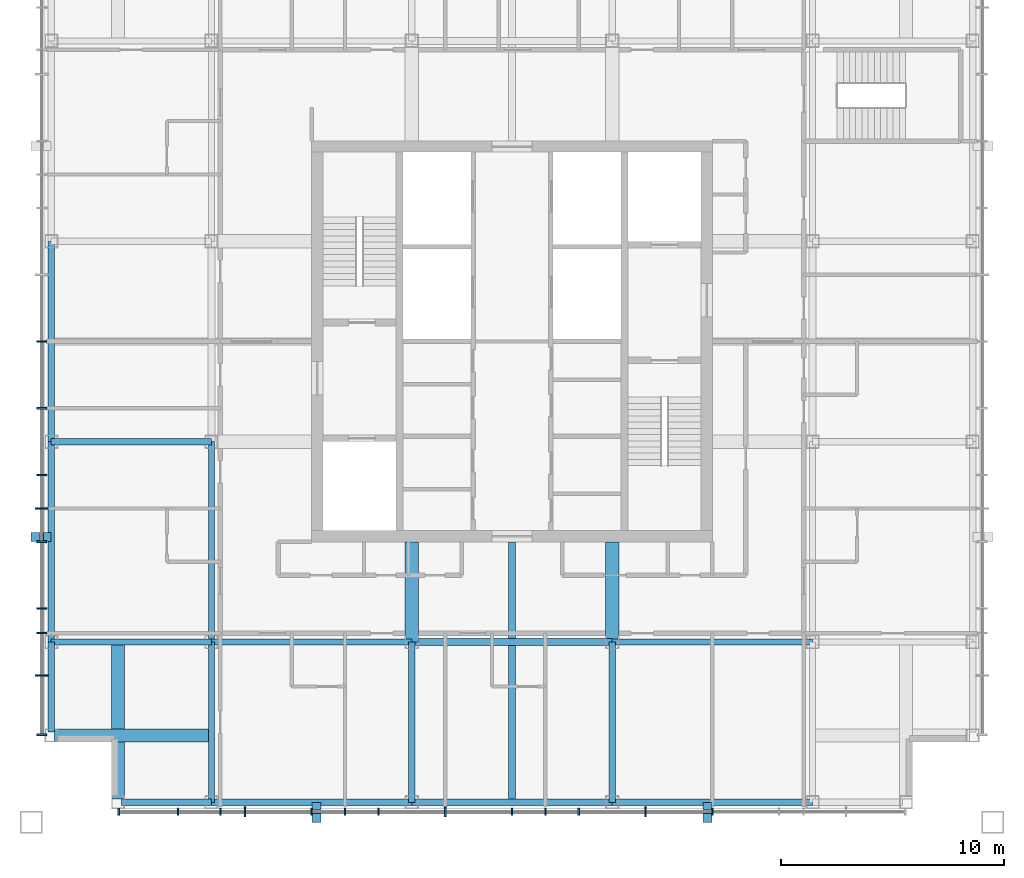
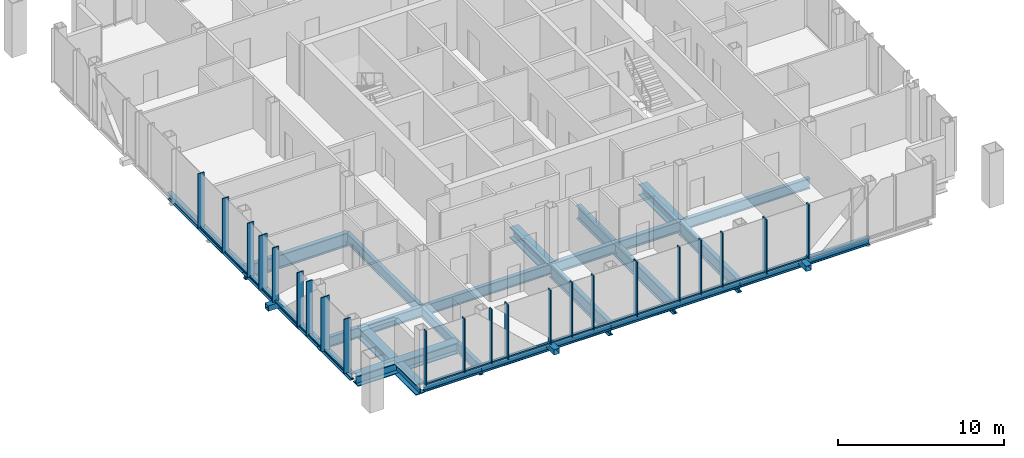
# One storey, part 2 of 11: 45 members, 21 beams, 2 elements without a shape of their own.
"""IFC4 building model written with IfcOpenShell, lengths in metres."""

import ifcopenshell
import ifcopenshell.guid

model = None  # the IFC model being written
_history = None  # IfcOwnerHistory: only IFC2X3 demands one
_inside = {}  # id of a spatial element -> (the spatial element, [elements in it])
_under = {}  # id of a project, library or spatial element -> (it, [spatial elements below it])
_declared = {}  # id of a project -> (the project, [libraries it declares])
_typed = {}  # id of a type object -> (the type object, [elements of that type])
_made_of = {}  # id of a material, layer set ... -> (it, [elements and type objects made of it])


def new_model(schema):
    """Start an empty IFC model of exactly this schema.

    Asked for "IFC4X3", IfcOpenShell would pick the latest addendum, in which some entities
    have other attributes; the version numbers below select the first issue.
    IFC2X3 requires an IfcOwnerHistory on every rooted entity: one is made here for all.
    """
    global model, _history
    if schema == "IFC4X3":
        model = ifcopenshell.file(schema_version=(4, 3, 0, 0))
    else:
        model = ifcopenshell.file(schema=schema)
    _inside.clear()
    _under.clear()
    _declared.clear()
    _typed.clear()
    _made_of.clear()
    _history = None
    if model.schema == "IFC2X3":
        org = make("IfcOrganization", Name="unknown")
        user = make(
            "IfcPersonAndOrganization",
            ThePerson=make("IfcPerson", FamilyName="unknown"),
            TheOrganization=org,
        )
        app = make(
            "IfcApplication",
            ApplicationDeveloper=org,
            Version="unknown",
            ApplicationFullName="unknown",
            ApplicationIdentifier="unknown",
        )
        _history = make(
            "IfcOwnerHistory",
            OwningUser=user,
            OwningApplication=app,
            ChangeAction="ADDED",
            CreationDate=0,
        )
    return model


def make(cls, **values):
    """One entity of the class cls with the attributes given. An attribute that is None is left unset."""
    return model.create_entity(
        cls, **{name: value for name, value in values.items() if value is not None}
    )


def rooted(cls, **values):
    """An entity with a GlobalId (a new one), such as an element, a storey or a relation."""
    return make(cls, GlobalId=ifcopenshell.guid.new(), OwnerHistory=_history, **values)


def si_unit(unit_type, name, prefix=None):
    """IfcSIUnit, for example si_unit("LENGTHUNIT", "METRE", prefix="MILLI")."""
    return make("IfcSIUnit", UnitType=unit_type, Prefix=prefix, Name=name)


def assignment(units):
    """IfcUnitAssignment: the units of a project."""
    return None if units is None else make("IfcUnitAssignment", Units=units)


def point(xyz):
    """IfcCartesianPoint."""
    return None if xyz is None else make("IfcCartesianPoint", Coordinates=xyz)


def direction(xyz):
    """IfcDirection."""
    return None if xyz is None else make("IfcDirection", DirectionRatios=xyz)


def frame(location, z_axis=None, x_axis=None):
    """IfcAxis2Placement3D, a coordinate frame: its origin and axes. An axis left out is left unset."""
    return make(
        "IfcAxis2Placement3D",
        Location=point(location),
        Axis=direction(z_axis),
        RefDirection=direction(x_axis),
    )


def frame_2d(location, x_axis=None):
    """IfcAxis2Placement2D, a coordinate frame in the plane: its origin and x axis."""
    return make(
        "IfcAxis2Placement2D", Location=point(location), RefDirection=direction(x_axis)
    )


def origin():
    """The frame at (0, 0, 0) with its axes left unset."""
    return frame((0.0, 0.0, 0.0))


def origin_2d():
    """The frame at (0, 0) in the plane with its x axis left unset."""
    return frame_2d((0.0, 0.0))


def place(relative_to, where):
    """IfcLocalPlacement: puts the frame where relative to a parent placement (None: the world)."""
    return make(
        "IfcLocalPlacement", PlacementRelTo=relative_to, RelativePlacement=where
    )


def context(
    kind, dimensions, precision=None, world=None, true_north=None, identifier=None
):
    """IfcGeometricRepresentationContext, for example the 3D "Model" context."""
    return make(
        "IfcGeometricRepresentationContext",
        ContextIdentifier=identifier,
        ContextType=kind,
        CoordinateSpaceDimension=dimensions,
        Precision=precision,
        WorldCoordinateSystem=world,
        TrueNorth=true_north,
    )


def subcontext(parent, identifier, kind, view, scale=None):
    """IfcGeometricRepresentationSubContext, for example "Body" below "Model"."""
    return make(
        "IfcGeometricRepresentationSubContext",
        ContextIdentifier=identifier,
        ContextType=kind,
        ParentContext=parent,
        TargetScale=scale,
        TargetView=view,
    )


def project(units=None, contexts=None):
    """IfcProject with its units and contexts."""
    return rooted(
        "IfcProject",
        Name="project",
        RepresentationContexts=contexts,
        UnitsInContext=assignment(units),
    )


def spatial(cls, under=None, at=None, **own):
    """A site, building, storey or space (cls), placed at a placement, below another one or the project."""
    s = rooted(cls, ObjectPlacement=at, **own)
    if under is not None:
        _under.setdefault(under.id(), (under, []))[1].append(s)
    return s


def profile(cls, at=None, kind="AREA", **sizes):
    """A parametric profile (cls). Its sizes go by their IFC names, for example OverallWidth=200.0."""
    return make(cls, ProfileType=kind, Position=at, **sizes)


def rectangle(**sizes):
    """IfcRectangleProfileDef."""
    return profile("IfcRectangleProfileDef", **sizes)


def hollow_rectangle(**sizes):
    """IfcRectangleHollowProfileDef."""
    return profile("IfcRectangleHollowProfileDef", **sizes)


def i_section(**sizes):
    """IfcIShapeProfileDef."""
    return profile("IfcIShapeProfileDef", **sizes)


def extrude(swept, where, along, depth):
    """IfcExtrudedAreaSolid: the profile swept, set in the frame where, extruded along a direction by depth."""
    return make(
        "IfcExtrudedAreaSolid",
        SweptArea=swept,
        Position=where,
        ExtrudedDirection=direction(along),
        Depth=depth,
    )


def shape(context_of_items, identifier, shape_type, items):
    """IfcShapeRepresentation: the items that make up one representation, for example the "Body"."""
    return make(
        "IfcShapeRepresentation",
        ContextOfItems=context_of_items,
        RepresentationIdentifier=identifier,
        RepresentationType=shape_type,
        Items=items,
    )


def material(Name=None, Category=None):
    """IfcMaterial."""
    return make("IfcMaterial", Name=Name, Category=Category)


def layer(
    of_material, thickness, ventilated=None, Name=None, Category=None, Priority=None
):
    """IfcMaterialLayer: one layer of a wall or slab, of a material (None: an air gap)."""
    return make(
        "IfcMaterialLayer",
        Material=of_material,
        LayerThickness=thickness,
        IsVentilated=ventilated,
        Name=Name,
        Category=Category,
        Priority=Priority,
    )


def layer_set(layers, Name=None):
    """IfcMaterialLayerSet."""
    return make("IfcMaterialLayerSet", MaterialLayers=layers, LayerSetName=Name)


def material_profile(
    of_material, cross_section, Name=None, Category=None, Priority=None
):
    """IfcMaterialProfile: a cross section and its material."""
    return make(
        "IfcMaterialProfile",
        Name=Name,
        Material=of_material,
        Profile=cross_section,
        Priority=Priority,
        Category=Category,
    )


def profile_set(profiles, Name=None, composite=None):
    """IfcMaterialProfileSet."""
    return make(
        "IfcMaterialProfileSet",
        Name=Name,
        MaterialProfiles=profiles,
        CompositeProfile=composite,
    )


def made_of(thing, what):
    """Note that an element or type object is made of a material, layer set ...; save() writes the relation."""
    if what is not None:
        _made_of.setdefault(what.id(), (what, []))[1].append(thing)
    return thing


def type_object(cls, material=None, **own):
    """A type object (cls), such as IfcWallType, which elements share."""
    return made_of(rooted(cls, **own), material)


def element(
    cls,
    number,
    at=None,
    inside=None,
    cuts=None,
    type_object=None,
    material=None,
    context=None,
    identifier="Body",
    shape_type=None,
    held_by="IfcProductDefinitionShape",
    body=None,
    shapes=None,
    **own,
):
    """One element of the class cls, such as IfcWall. Its Tag is "e" and its number.

    at: its placement. inside: the storey or other place that contains it. cuts: it is an
    opening in that element (IfcRelVoidsElement). A single representation is given by context,
    identifier, shape_type and body (its items); several are given by shapes. held_by: the class
    of the entity that holds the representations. save() writes the other relations.
    """
    e = rooted(cls, Tag="e%d" % number, ObjectPlacement=at, **own)
    if body is not None:
        shapes = [shape(context, identifier, shape_type, body)]
    if shapes is not None:
        e.Representation = make(held_by, Representations=shapes)
    if inside is not None:
        _inside.setdefault(inside.id(), (inside, []))[1].append(e)
    if cuts is not None:
        rooted(
            "IfcRelVoidsElement", RelatingBuildingElement=cuts, RelatedOpeningElement=e
        )
    if type_object is not None:
        _typed.setdefault(type_object.id(), (type_object, []))[1].append(e)
    return made_of(e, material)


def aggregate(whole, parts):
    """IfcRelAggregates: a whole, such as a stair, and the parts it consists of."""
    return rooted("IfcRelAggregates", RelatingObject=whole, RelatedObjects=parts)


def save(model, path):
    """Write the relations noted so far, then the file.

    IfcRelAggregates (storeys below a building ...), IfcRelContainedInSpatialStructure (elements
    in a storey), IfcRelDefinesByType, IfcRelAssociatesMaterial and IfcRelDeclares: one each for
    every whole, place, type object, material and project.
    """
    for whole, parts in _under.values():
        aggregate(whole, parts)
    for where, things in _inside.values():
        rooted(
            "IfcRelContainedInSpatialStructure",
            RelatedElements=things,
            RelatingStructure=where,
        )
    for kind, things in _typed.values():
        rooted("IfcRelDefinesByType", RelatedObjects=things, RelatingType=kind)
    for what, things in _made_of.values():
        rooted("IfcRelAssociatesMaterial", RelatedObjects=things, RelatingMaterial=what)
    for by, libraries in _declared.values():
        rooted("IfcRelDeclares", RelatingContext=by, RelatedDefinitions=libraries)
    model.write(path)


model = new_model("IFC4")

# Units and contexts
model_context = context("Model", 3, precision=1e-05, world=origin(), true_north=direction((0.0, 1.0)))
body_context = subcontext(model_context, "Body", "Model", "MODEL_VIEW")
ifc_project = project(units=[si_unit("LENGTHUNIT", "METRE"), si_unit("AREAUNIT", "SQUARE_METRE"), si_unit("VOLUMEUNIT", "CUBIC_METRE"), si_unit("PLANEANGLEUNIT", "RADIAN"), si_unit("MASSUNIT", "GRAM", prefix="KILO")], contexts=[model_context])

# Site, building, storey
site_placement = place(None, origin())
site = spatial("IfcSite", under=ifc_project, at=site_placement, CompositionType="ELEMENT")
building_placement = place(site_placement, origin())
building = spatial("IfcBuilding", under=site, at=building_placement, Name="Malebo Sky Hospital", CompositionType="ELEMENT")
storey_placement = place(building_placement, frame((0.0, 0.0, 278.0)))
storey = spatial("IfcBuildingStorey", under=building, at=storey_placement, Name="L67", CompositionType="ELEMENT", Elevation=278.0)

# Curtain wall, members
ifc_material_1 = material(Name="Anodised aluminium, natural silver", Category="aluminium")
ifc_layer_1 = layer(ifc_material_1, 0.25)
ifc_layer_set_1 = layer_set([ifc_layer_1], Name="WARD CURTAIN WALL EAST AND WEST")
curtain_wall_type_1 = type_object("IfcCurtainWallType", Name="WARD CURTAIN WALL EAST AND WEST", PredefinedType="NOTDEFINED", material=ifc_layer_set_1)
curtain_wall_1_placement = place(storey_placement, origin())
curtain_wall_1 = element("IfcCurtainWall", 1, at=curtain_wall_1_placement, inside=storey, type_object=curtain_wall_type_1, Name="EW curtain wall W", PredefinedType="NOTDEFINED")
ifc_material_profile_1 = material_profile(ifc_material_1, rectangle(XDim=0.14990234375, YDim=0.10009765625, at=origin_2d()), Name="ALUMINIUM TRANSOM 150x100")
ifc_profile_set_1 = profile_set([ifc_material_profile_1], Name="Anodised aluminium, natural silver")
member_type_1 = type_object("IfcMemberType", Name="ALUMINIUM TRANSOM 150x100", PredefinedType="USERDEFINED", material=ifc_profile_set_1)
member_1_placement = place(storey_placement, frame((38.875, 44.375, 0.050048828125), z_axis=(0.0, 1.0, 0.0), x_axis=(-1.0, 0.0, 0.0)))
member_1 = element("IfcMember", 2, at=member_1_placement, type_object=member_type_1, Name="Transom 1", ObjectType="TRANSOM", PredefinedType="USERDEFINED", context=body_context, shape_type="SweptSolid", body=[
    extrude(rectangle(XDim=0.14990234375, YDim=0.10009765625, at=origin_2d()), origin(), (0.0, 0.0, 1.0), 2.58740234375),
])
member_2_placement = place(storey_placement, frame((38.875, 47.03759765625, 0.050048828125), z_axis=(0.0, 1.0, 0.0), x_axis=(-1.0, 0.0, 0.0)))
member_2 = element("IfcMember", 3, at=member_2_placement, type_object=member_type_1, Name="Transom 2", ObjectType="TRANSOM", PredefinedType="USERDEFINED", context=body_context, shape_type="SweptSolid", body=[
    extrude(rectangle(XDim=0.14990234375, YDim=0.10009765625, at=origin_2d()), origin(), (0.0, 0.0, 1.0), 1.824951171875),
])
member_3_placement = place(storey_placement, frame((38.875, 48.9375, 0.050048828125), z_axis=(0.0, 1.0, 0.0), x_axis=(-1.0, 0.0, 0.0)))
member_3 = element("IfcMember", 4, at=member_3_placement, type_object=member_type_1, Name="Transom 3", ObjectType="TRANSOM", PredefinedType="USERDEFINED", context=body_context, shape_type="SweptSolid", body=[
    extrude(rectangle(XDim=0.14990234375, YDim=0.10009765625, at=origin_2d()), origin(), (0.0, 0.0, 1.0), 1.02490234375),
])
member_4_placement = place(storey_placement, frame((38.875, 50.03759765625, 0.050048828125), z_axis=(0.0, 1.0, 0.0), x_axis=(-1.0, 0.0, 0.0)))
member_4 = element("IfcMember", 5, at=member_4_placement, type_object=member_type_1, Name="Transom 4", ObjectType="TRANSOM", PredefinedType="USERDEFINED", context=body_context, shape_type="SweptSolid", body=[
    extrude(rectangle(XDim=0.14990234375, YDim=0.10009765625, at=origin_2d()), origin(), (0.0, 0.0, 1.0), 2.9248046875),
])
member_5_placement = place(storey_placement, frame((38.875, 53.03759765625, 0.050048828125), z_axis=(0.0, 1.0, 0.0), x_axis=(-1.0, 0.0, 0.0)))
member_5 = element("IfcMember", 6, at=member_5_placement, type_object=member_type_1, Name="Transom 5", ObjectType="TRANSOM", PredefinedType="USERDEFINED", context=body_context, shape_type="SweptSolid", body=[
    extrude(rectangle(XDim=0.14990234375, YDim=0.10009765625, at=origin_2d()), origin(), (0.0, 0.0, 1.0), 1.4248046875),
])
member_6_placement = place(storey_placement, frame((38.875, 54.53759765625, 0.050048828125), z_axis=(0.0, 1.0, 0.0), x_axis=(-1.0, 0.0, 0.0)))
member_6 = element("IfcMember", 7, at=member_6_placement, type_object=member_type_1, Name="Transom 6", ObjectType="TRANSOM", PredefinedType="USERDEFINED", context=body_context, shape_type="SweptSolid", body=[
    extrude(rectangle(XDim=0.14990234375, YDim=0.10009765625, at=origin_2d()), origin(), (0.0, 0.0, 1.0), 1.4248046875),
])
member_7_placement = place(storey_placement, frame((38.875, 56.03759765625, 0.050048828125), z_axis=(0.0, 1.0, 0.0), x_axis=(-1.0, 0.0, 0.0)))
member_7 = element("IfcMember", 8, at=member_7_placement, type_object=member_type_1, Name="Transom 7", ObjectType="TRANSOM", PredefinedType="USERDEFINED", context=body_context, shape_type="SweptSolid", body=[
    extrude(rectangle(XDim=0.14990234375, YDim=0.10009765625, at=origin_2d()), origin(), (0.0, 0.0, 1.0), 2.9248046875),
])
member_8_placement = place(storey_placement, frame((38.875, 59.03759765625, 0.050048828125), z_axis=(0.0, 1.0, 0.0), x_axis=(-1.0, 0.0, 0.0)))
member_8 = element("IfcMember", 9, at=member_8_placement, type_object=member_type_1, Name="Transom 8", ObjectType="TRANSOM", PredefinedType="USERDEFINED", context=body_context, shape_type="SweptSolid", body=[
    extrude(rectangle(XDim=0.14990234375, YDim=0.10009765625, at=origin_2d()), origin(), (0.0, 0.0, 1.0), 2.9248046875),
])

ifc_layer_2 = layer(ifc_material_1, 0.25)
ifc_layer_set_2 = layer_set([ifc_layer_2], Name="WARD CURTAIN WALL NORTH AND SOUTH")
curtain_wall_type_2 = type_object("IfcCurtainWallType", Name="WARD CURTAIN WALL NORTH AND SOUTH", PredefinedType="NOTDEFINED", material=ifc_layer_set_2)
curtain_wall_2_placement = place(storey_placement, origin())
curtain_wall_2 = element("IfcCurtainWall", 10, at=curtain_wall_2_placement, inside=storey, type_object=curtain_wall_type_2, Name="NS curtain wall S", PredefinedType="NOTDEFINED")
member_9_placement = place(storey_placement, frame((68.96240234375, 40.875, 0.050048828125), z_axis=(-1.0, 0.0, 0.0), x_axis=(0.0, -1.0, 0.0)))
member_9 = element("IfcMember", 11, at=member_9_placement, type_object=member_type_1, Name="Transom 5", ObjectType="TRANSOM", PredefinedType="USERDEFINED", context=body_context, shape_type="SweptSolid", body=[
    extrude(rectangle(XDim=0.14990234375, YDim=0.10009765625, at=origin_2d()), origin(), (0.0, 0.0, 1.0), 2.9248046875),
])
member_10_placement = place(storey_placement, frame((65.96240234375, 40.875, 0.050048828125), z_axis=(-1.0, 0.0, 0.0), x_axis=(0.0, -1.0, 0.0)))
member_10 = element("IfcMember", 12, at=member_10_placement, type_object=member_type_1, Name="Transom 6", ObjectType="TRANSOM", PredefinedType="USERDEFINED", context=body_context, shape_type="SweptSolid", body=[
    extrude(rectangle(XDim=0.14990234375, YDim=0.10009765625, at=origin_2d()), origin(), (0.0, 0.0, 1.0), 2.9248046875),
])
member_11_placement = place(storey_placement, frame((62.96240234375, 40.875, 0.050048828125), z_axis=(-1.0, 0.0, 0.0), x_axis=(0.0, -1.0, 0.0)))
member_11 = element("IfcMember", 13, at=member_11_placement, type_object=member_type_1, Name="Transom 7", ObjectType="TRANSOM", PredefinedType="USERDEFINED", context=body_context, shape_type="SweptSolid", body=[
    extrude(rectangle(XDim=0.14990234375, YDim=0.10009765625, at=origin_2d()), origin(), (0.0, 0.0, 1.0), 1.4248046875),
])
member_12_placement = place(storey_placement, frame((61.46240234375, 40.875, 0.050048828125), z_axis=(-1.0, 0.0, 0.0), x_axis=(0.0, -1.0, 0.0)))
member_12 = element("IfcMember", 14, at=member_12_placement, type_object=member_type_1, Name="Transom 8", ObjectType="TRANSOM", PredefinedType="USERDEFINED", context=body_context, shape_type="SweptSolid", body=[
    extrude(rectangle(XDim=0.14990234375, YDim=0.10009765625, at=origin_2d()), origin(), (0.0, 0.0, 1.0), 1.4248046875),
])
member_13_placement = place(storey_placement, frame((59.96240234375, 40.875, 0.050048828125), z_axis=(-1.0, 0.0, 0.0), x_axis=(0.0, -1.0, 0.0)))
member_13 = element("IfcMember", 15, at=member_13_placement, type_object=member_type_1, Name="Transom 9", ObjectType="TRANSOM", PredefinedType="USERDEFINED", context=body_context, shape_type="SweptSolid", body=[
    extrude(rectangle(XDim=0.14990234375, YDim=0.10009765625, at=origin_2d()), origin(), (0.0, 0.0, 1.0), 2.9248046875),
])
member_14_placement = place(storey_placement, frame((56.96240234375, 40.875, 0.050048828125), z_axis=(-1.0, 0.0, 0.0), x_axis=(0.0, -1.0, 0.0)))
member_14 = element("IfcMember", 16, at=member_14_placement, type_object=member_type_1, Name="Transom 10", ObjectType="TRANSOM", PredefinedType="USERDEFINED", context=body_context, shape_type="SweptSolid", body=[
    extrude(rectangle(XDim=0.14990234375, YDim=0.10009765625, at=origin_2d()), origin(), (0.0, 0.0, 1.0), 2.9248046875),
])
member_15_placement = place(storey_placement, frame((53.96240234375, 40.875, 0.050048828125), z_axis=(-1.0, 0.0, 0.0), x_axis=(0.0, -1.0, 0.0)))
member_15 = element("IfcMember", 17, at=member_15_placement, type_object=member_type_1, Name="Transom 11", ObjectType="TRANSOM", PredefinedType="USERDEFINED", context=body_context, shape_type="SweptSolid", body=[
    extrude(rectangle(XDim=0.14990234375, YDim=0.10009765625, at=origin_2d()), origin(), (0.0, 0.0, 1.0), 1.4248046875),
])
member_16_placement = place(storey_placement, frame((52.46240234375, 40.875, 0.050048828125), z_axis=(-1.0, 0.0, 0.0), x_axis=(0.0, -1.0, 0.0)))
member_16 = element("IfcMember", 18, at=member_16_placement, type_object=member_type_1, Name="Transom 12", ObjectType="TRANSOM", PredefinedType="USERDEFINED", context=body_context, shape_type="SweptSolid", body=[
    extrude(rectangle(XDim=0.14990234375, YDim=0.10009765625, at=origin_2d()), origin(), (0.0, 0.0, 1.0), 1.4248046875),
])
member_17_placement = place(storey_placement, frame((50.96240234375, 40.875, 0.050048828125), z_axis=(-1.0, 0.0, 0.0), x_axis=(0.0, -1.0, 0.0)))
member_17 = element("IfcMember", 19, at=member_17_placement, type_object=member_type_1, Name="Transom 13", ObjectType="TRANSOM", PredefinedType="USERDEFINED", context=body_context, shape_type="SweptSolid", body=[
    extrude(rectangle(XDim=0.14990234375, YDim=0.10009765625, at=origin_2d()), origin(), (0.0, 0.0, 1.0), 2.9248046875),
])
member_18_placement = place(storey_placement, frame((47.96240234375, 40.875, 0.050048828125), z_axis=(-1.0, 0.0, 0.0), x_axis=(0.0, -1.0, 0.0)))
member_18 = element("IfcMember", 20, at=member_18_placement, type_object=member_type_1, Name="Transom 14", ObjectType="TRANSOM", PredefinedType="USERDEFINED", context=body_context, shape_type="SweptSolid", body=[
    extrude(rectangle(XDim=0.14990234375, YDim=0.10009765625, at=origin_2d()), origin(), (0.0, 0.0, 1.0), 1.02490234375),
])
member_19_placement = place(storey_placement, frame((46.862548828125, 40.875, 0.050048828125), z_axis=(-1.0, 0.0, 0.0), x_axis=(0.0, -1.0, 0.0)))
member_19 = element("IfcMember", 21, at=member_19_placement, type_object=member_type_1, Name="Transom 15", ObjectType="TRANSOM", PredefinedType="USERDEFINED", context=body_context, shape_type="SweptSolid", body=[
    extrude(rectangle(XDim=0.14990234375, YDim=0.10009765625, at=origin_2d()), origin(), (0.0, 0.0, 1.0), 1.824951171875),
])
member_20_placement = place(storey_placement, frame((44.96240234375, 40.875, 0.050048828125), z_axis=(-1.0, 0.0, 0.0), x_axis=(0.0, -1.0, 0.0)))
member_20 = element("IfcMember", 22, at=member_20_placement, type_object=member_type_1, Name="Transom 16", ObjectType="TRANSOM", PredefinedType="USERDEFINED", context=body_context, shape_type="SweptSolid", body=[
    extrude(rectangle(XDim=0.14990234375, YDim=0.10009765625, at=origin_2d()), origin(), (0.0, 0.0, 1.0), 2.58740234375),
])

# Members
ifc_material_2 = material(Name="Steel S355", Category="steel")
ifc_material_profile_2 = material_profile(ifc_material_2, hollow_rectangle(XDim=0.39990234375, YDim=0.39990234375, WallThickness=0.02001953125, at=origin_2d()), Name="SHS 400x20")
ifc_profile_set_2 = profile_set([ifc_material_profile_2], Name="Steel S355")
member_type_2 = type_object("IfcMemberType", Name="BRACE STRUT SHS 400x20", PredefinedType="STRUT", material=ifc_profile_set_2)
for number, where, z_axis, x_axis, name in (
    (23, (68.7841796875, 40.39990234375, -0.39990234375), (0.0, 1.0, 0.0), (-1.0, 0.0, 0.0), "Brace strut DS1 L67"),
    (24, (51.2158203125, 40.39990234375, -0.39990234375), (0.0, 1.0, 0.0), (-1.0, 0.0, 0.0), "Brace strut DS2 L67"),
    (25, (38.39990234375, 53.2158203125, -0.39990234375), (1.0, 0.0, 0.0), (0.0, 1.0, 0.0), "Brace strut DW1 L67"),
):
    element("IfcMember", number, at=place(storey_placement, frame(where, z_axis=z_axis, x_axis=x_axis)), inside=storey, type_object=member_type_2, Name=name, PredefinedType="STRUT", context=body_context, shape_type="SweptSolid", body=[
        extrude(hollow_rectangle(XDim=0.39990234375, YDim=0.39990234375, WallThickness=0.02001953125, at=origin_2d()), origin(), (0.0, 0.0, 1.0), 0.900146484375),
    ])

# Member
ifc_material_profile_3 = material_profile(ifc_material_1, rectangle(XDim=0.074951171875, YDim=0.300048828125, at=origin_2d()), Name="CW1 ALUMINIUM FIN MULLION 75x300")
ifc_profile_set_3 = profile_set([ifc_material_profile_3], Name="Anodised aluminium, natural silver")
member_type_3 = type_object("IfcMemberType", Name="CW1 ALUMINIUM FIN MULLION 75x300", PredefinedType="MULLION", material=ifc_profile_set_3)
member_21_placement = place(storey_placement, frame((69.0, 40.875, 0.0), z_axis=(0.0, 0.0, 1.0), x_axis=(-1.0, 0.0, 0.0)))
member_21 = element("IfcMember", 26, at=member_21_placement, type_object=member_type_3, Name="Fin mullion 5", PredefinedType="MULLION", context=body_context, shape_type="SweptSolid", body=[
    extrude(rectangle(XDim=0.074951171875, YDim=0.300048828125, at=origin_2d()), origin(), (0.0, 0.0, 1.0), 4.0),
])

member_22_placement = place(storey_placement, frame((63.0, 40.875, 0.0), z_axis=(0.0, 0.0, 1.0), x_axis=(-1.0, 0.0, 0.0)))
member_22 = element("IfcMember", 27, at=member_22_placement, type_object=member_type_3, Name="Fin mullion 7", PredefinedType="MULLION", context=body_context, shape_type="SweptSolid", body=[
    extrude(rectangle(XDim=0.074951171875, YDim=0.300048828125, at=origin_2d()), origin(), (0.0, 0.0, 1.0), 4.0),
])

member_23_placement = place(storey_placement, frame((61.5, 40.875, 0.0), z_axis=(0.0, 0.0, 1.0), x_axis=(-1.0, 0.0, 0.0)))
member_23 = element("IfcMember", 28, at=member_23_placement, type_object=member_type_3, Name="Fin mullion 8", PredefinedType="MULLION", context=body_context, shape_type="SweptSolid", body=[
    extrude(rectangle(XDim=0.074951171875, YDim=0.300048828125, at=origin_2d()), origin(), (0.0, 0.0, 1.0), 4.0),
])

member_24_placement = place(storey_placement, frame((60.0, 40.875, 0.0), z_axis=(0.0, 0.0, 1.0), x_axis=(-1.0, 0.0, 0.0)))
member_24 = element("IfcMember", 29, at=member_24_placement, type_object=member_type_3, Name="Fin mullion 9", PredefinedType="MULLION", context=body_context, shape_type="SweptSolid", body=[
    extrude(rectangle(XDim=0.074951171875, YDim=0.300048828125, at=origin_2d()), origin(), (0.0, 0.0, 1.0), 4.0),
])

member_25_placement = place(storey_placement, frame((54.0, 40.875, 0.0), z_axis=(0.0, 0.0, 1.0), x_axis=(-1.0, 0.0, 0.0)))
member_25 = element("IfcMember", 30, at=member_25_placement, type_object=member_type_3, Name="Fin mullion 11", PredefinedType="MULLION", context=body_context, shape_type="SweptSolid", body=[
    extrude(rectangle(XDim=0.074951171875, YDim=0.300048828125, at=origin_2d()), origin(), (0.0, 0.0, 1.0), 4.0),
])

member_26_placement = place(storey_placement, frame((52.5, 40.875, 0.0), z_axis=(0.0, 0.0, 1.0), x_axis=(-1.0, 0.0, 0.0)))
member_26 = element("IfcMember", 31, at=member_26_placement, type_object=member_type_3, Name="Fin mullion 12", PredefinedType="MULLION", context=body_context, shape_type="SweptSolid", body=[
    extrude(rectangle(XDim=0.074951171875, YDim=0.300048828125, at=origin_2d()), origin(), (0.0, 0.0, 1.0), 4.0),
])

member_27_placement = place(storey_placement, frame((51.0, 40.875, 0.0), z_axis=(0.0, 0.0, 1.0), x_axis=(-1.0, 0.0, 0.0)))
member_27 = element("IfcMember", 32, at=member_27_placement, type_object=member_type_3, Name="Fin mullion 13", PredefinedType="MULLION", context=body_context, shape_type="SweptSolid", body=[
    extrude(rectangle(XDim=0.074951171875, YDim=0.300048828125, at=origin_2d()), origin(), (0.0, 0.0, 1.0), 4.0),
])

member_28_placement = place(storey_placement, frame((46.89990234375, 40.875, 0.0), z_axis=(0.0, 0.0, 1.0), x_axis=(-1.0, 0.0, 0.0)))
member_28 = element("IfcMember", 33, at=member_28_placement, type_object=member_type_3, Name="Fin mullion 15", PredefinedType="MULLION", context=body_context, shape_type="SweptSolid", body=[
    extrude(rectangle(XDim=0.074951171875, YDim=0.300048828125, at=origin_2d()), origin(), (0.0, 0.0, 1.0), 4.0),
])

member_29_placement = place(storey_placement, frame((45.0, 40.875, 0.0), z_axis=(0.0, 0.0, 1.0), x_axis=(-1.0, 0.0, 0.0)))
member_29 = element("IfcMember", 34, at=member_29_placement, type_object=member_type_3, Name="Fin mullion 16", PredefinedType="MULLION", context=body_context, shape_type="SweptSolid", body=[
    extrude(rectangle(XDim=0.074951171875, YDim=0.300048828125, at=origin_2d()), origin(), (0.0, 0.0, 1.0), 4.0),
])

member_30_placement = place(storey_placement, frame((42.33740234375, 40.875, 0.0), z_axis=(0.0, 0.0, 1.0), x_axis=(-1.0, 0.0, 0.0)))
member_30 = element("IfcMember", 35, at=member_30_placement, type_object=member_type_3, Name="Fin mullion 17", PredefinedType="MULLION", context=body_context, shape_type="SweptSolid", body=[
    extrude(rectangle(XDim=0.074951171875, YDim=0.300048828125, at=origin_2d()), origin(), (0.0, 0.0, 1.0), 4.0),
])

ifc_material_profile_4 = material_profile(ifc_material_1, rectangle(XDim=0.074951171875, YDim=0.449951171875, at=origin_2d()), Name="CW1 ALUMINIUM FIN MULLION 75x450")
ifc_profile_set_4 = profile_set([ifc_material_profile_4], Name="Anodised aluminium, natural silver")
member_type_4 = type_object("IfcMemberType", Name="CW1 ALUMINIUM FIN MULLION 75x450", PredefinedType="MULLION", material=ifc_profile_set_4)
member_31_placement = place(storey_placement, frame((66.0, 40.875, 0.0), z_axis=(0.0, 0.0, 1.0), x_axis=(-1.0, 0.0, 0.0)))
member_31 = element("IfcMember", 36, at=member_31_placement, type_object=member_type_4, Name="Fin mullion 6", PredefinedType="MULLION", context=body_context, shape_type="SweptSolid", body=[
    extrude(rectangle(XDim=0.074951171875, YDim=0.449951171875, at=origin_2d()), origin(), (0.0, 0.0, 1.0), 4.0),
])

member_32_placement = place(storey_placement, frame((57.0, 40.875, 0.0), z_axis=(0.0, 0.0, 1.0), x_axis=(-1.0, 0.0, 0.0)))
member_32 = element("IfcMember", 37, at=member_32_placement, type_object=member_type_4, Name="Fin mullion 10", PredefinedType="MULLION", context=body_context, shape_type="SweptSolid", body=[
    extrude(rectangle(XDim=0.074951171875, YDim=0.449951171875, at=origin_2d()), origin(), (0.0, 0.0, 1.0), 4.0),
])

member_33_placement = place(storey_placement, frame((48.0, 40.875, 0.0), z_axis=(0.0, 0.0, 1.0), x_axis=(-1.0, 0.0, 0.0)))
member_33 = element("IfcMember", 38, at=member_33_placement, type_object=member_type_4, Name="Fin mullion 14", PredefinedType="MULLION", context=body_context, shape_type="SweptSolid", body=[
    extrude(rectangle(XDim=0.074951171875, YDim=0.449951171875, at=origin_2d()), origin(), (0.0, 0.0, 1.0), 4.0),
])

aggregate(curtain_wall_2, [member_21, member_31, member_22, member_23, member_24, member_32, member_25, member_26, member_27, member_33, member_28, member_29, member_30, member_9, member_10, member_11, member_12, member_13, member_14, member_15, member_16, member_17, member_18, member_19, member_20])

ifc_material_profile_5 = material_profile(ifc_material_1, rectangle(XDim=0.074951171875, YDim=0.449951171875, at=origin_2d()), Name="CW2 ALUMINIUM FIN MULLION 75x450")
ifc_profile_set_5 = profile_set([ifc_material_profile_5], Name="Anodised aluminium, natural silver")
member_type_5 = type_object("IfcMemberType", Name="CW2 ALUMINIUM FIN MULLION 75x450", PredefinedType="MULLION", material=ifc_profile_set_5)
member_34_placement = place(storey_placement, frame((38.875, 44.33740234375, 0.0), z_axis=(0.0, 0.0, 1.0), x_axis=(0.0, 1.0, 0.0)))
member_34 = element("IfcMember", 39, at=member_34_placement, type_object=member_type_5, Name="Fin mullion 1", PredefinedType="MULLION", context=body_context, shape_type="SweptSolid", body=[
    extrude(rectangle(XDim=0.074951171875, YDim=0.449951171875, at=origin_2d()), origin(), (0.0, 0.0, 1.0), 4.0),
])

member_35_placement = place(storey_placement, frame((38.875, 48.89990234375, 0.0), z_axis=(0.0, 0.0, 1.0), x_axis=(0.0, 1.0, 0.0)))
member_35 = element("IfcMember", 40, at=member_35_placement, type_object=member_type_5, Name="Fin mullion 3", PredefinedType="MULLION", context=body_context, shape_type="SweptSolid", body=[
    extrude(rectangle(XDim=0.074951171875, YDim=0.449951171875, at=origin_2d()), origin(), (0.0, 0.0, 1.0), 4.0),
])

member_36_placement = place(storey_placement, frame((38.875, 50.0, 0.0), z_axis=(0.0, 0.0, 1.0), x_axis=(0.0, 1.0, 0.0)))
member_36 = element("IfcMember", 41, at=member_36_placement, type_object=member_type_5, Name="Fin mullion 4", PredefinedType="MULLION", context=body_context, shape_type="SweptSolid", body=[
    extrude(rectangle(XDim=0.074951171875, YDim=0.449951171875, at=origin_2d()), origin(), (0.0, 0.0, 1.0), 4.0),
])

member_37_placement = place(storey_placement, frame((38.875, 53.0, 0.0), z_axis=(0.0, 0.0, 1.0), x_axis=(0.0, 1.0, 0.0)))
member_37 = element("IfcMember", 42, at=member_37_placement, type_object=member_type_5, Name="Fin mullion 5", PredefinedType="MULLION", context=body_context, shape_type="SweptSolid", body=[
    extrude(rectangle(XDim=0.074951171875, YDim=0.449951171875, at=origin_2d()), origin(), (0.0, 0.0, 1.0), 4.0),
])

member_38_placement = place(storey_placement, frame((38.875, 56.0, 0.0), z_axis=(0.0, 0.0, 1.0), x_axis=(0.0, 1.0, 0.0)))
member_38 = element("IfcMember", 43, at=member_38_placement, type_object=member_type_5, Name="Fin mullion 7", PredefinedType="MULLION", context=body_context, shape_type="SweptSolid", body=[
    extrude(rectangle(XDim=0.074951171875, YDim=0.449951171875, at=origin_2d()), origin(), (0.0, 0.0, 1.0), 4.0),
])

member_39_placement = place(storey_placement, frame((38.875, 59.0, 0.0), z_axis=(0.0, 0.0, 1.0), x_axis=(0.0, 1.0, 0.0)))
member_39 = element("IfcMember", 44, at=member_39_placement, type_object=member_type_5, Name="Fin mullion 8", PredefinedType="MULLION", context=body_context, shape_type="SweptSolid", body=[
    extrude(rectangle(XDim=0.074951171875, YDim=0.449951171875, at=origin_2d()), origin(), (0.0, 0.0, 1.0), 4.0),
])

member_40_placement = place(storey_placement, frame((38.875, 62.0, 0.0), z_axis=(0.0, 0.0, 1.0), x_axis=(0.0, 1.0, 0.0)))
member_40 = element("IfcMember", 45, at=member_40_placement, type_object=member_type_5, Name="Fin mullion 9", PredefinedType="MULLION", context=body_context, shape_type="SweptSolid", body=[
    extrude(rectangle(XDim=0.074951171875, YDim=0.449951171875, at=origin_2d()), origin(), (0.0, 0.0, 1.0), 4.0),
])

ifc_material_profile_6 = material_profile(ifc_material_1, rectangle(XDim=0.074951171875, YDim=0.60009765625, at=origin_2d()), Name="CW2 ALUMINIUM FIN MULLION 75x600")
ifc_profile_set_6 = profile_set([ifc_material_profile_6], Name="Anodised aluminium, natural silver")
member_type_6 = type_object("IfcMemberType", Name="CW2 ALUMINIUM FIN MULLION 75x600", PredefinedType="MULLION", material=ifc_profile_set_6)
member_41_placement = place(storey_placement, frame((38.875, 47.0, 0.0), z_axis=(0.0, 0.0, 1.0), x_axis=(0.0, 1.0, 0.0)))
member_41 = element("IfcMember", 46, at=member_41_placement, type_object=member_type_6, Name="Fin mullion 2", PredefinedType="MULLION", context=body_context, shape_type="SweptSolid", body=[
    extrude(rectangle(XDim=0.074951171875, YDim=0.60009765625, at=origin_2d()), origin(), (0.0, 0.0, 1.0), 4.0),
])

member_42_placement = place(storey_placement, frame((38.875, 54.5, 0.0), z_axis=(0.0, 0.0, 1.0), x_axis=(0.0, 1.0, 0.0)))
member_42 = element("IfcMember", 47, at=member_42_placement, type_object=member_type_6, Name="Fin mullion 6", PredefinedType="MULLION", context=body_context, shape_type="SweptSolid", body=[
    extrude(rectangle(XDim=0.074951171875, YDim=0.60009765625, at=origin_2d()), origin(), (0.0, 0.0, 1.0), 4.0),
])

aggregate(curtain_wall_1, [member_34, member_41, member_35, member_36, member_37, member_42, member_38, member_39, member_40, member_1, member_2, member_3, member_4, member_5, member_6, member_7, member_8])

# Beams
ifc_material_profile_7 = material_profile(ifc_material_2, i_section(OverallWidth=0.305908203125, OverallDepth=0.52392578125, WebThickness=0.02099609375, FlangeThickness=0.0400390625, FilletRadius=0.027099609375, at=origin_2d()), Name="HEM 500")
ifc_profile_set_7 = profile_set([ifc_material_profile_7], Name="Steel S355")
beam_type_1 = type_object("IfcBeamType", Name="EDGE BEAM HEM 500", PredefinedType="BEAM", material=ifc_profile_set_7)
beam_1_placement = place(storey_placement, frame((39.300048828125, 44.449951171875, -0.511962890625), z_axis=(0.0, 1.0, 0.0), x_axis=(-1.0, 0.0, 0.0)))
element("IfcBeam", 48, at=beam_1_placement, inside=storey, type_object=beam_type_1, Name="Beam 000 L67", PredefinedType="BEAM", context=body_context, shape_type="SweptSolid", body=[
    extrude(i_section(OverallWidth=0.305908203125, OverallDepth=0.52392578125, WebThickness=0.02099609375, FlangeThickness=0.0400390625, FilletRadius=0.027099609375, at=origin_2d()), origin(), (0.0, 0.0, 1.0), 4.050048828125),
])
for number, where, z_axis, x_axis, name in (
    (49, (39.300048828125, 48.5, -0.511962890625), (0.0, 1.0, 0.0), (-1.0, 0.0, 0.0), "Beam 001 L67"),
    (50, (39.300048828125, 57.5, -0.511962890625), (0.0, 1.0, 0.0), (-1.0, 0.0, 0.0), "Beam 002 L67"),
):
    element("IfcBeam", number, at=place(storey_placement, frame(where, z_axis=z_axis, x_axis=x_axis)), inside=storey, type_object=beam_type_1, Name=name, PredefinedType="BEAM", context=body_context, shape_type="SweptSolid", body=[
        extrude(i_section(OverallWidth=0.305908203125, OverallDepth=0.52392578125, WebThickness=0.02099609375, FlangeThickness=0.0400390625, FilletRadius=0.027099609375, at=origin_2d()), origin(), (0.0, 0.0, 1.0), 9.0),
    ])
beam_2_placement = place(storey_placement, frame((42.449951171875, 41.300048828125, -0.511962890625), z_axis=(1.0, 0.0, 0.0), x_axis=(0.0, 1.0, 0.0)))
element("IfcBeam", 51, at=beam_2_placement, inside=storey, type_object=beam_type_1, Name="Beam 034 L67", PredefinedType="BEAM", context=body_context, shape_type="SweptSolid", body=[
    extrude(i_section(OverallWidth=0.305908203125, OverallDepth=0.52392578125, WebThickness=0.02099609375, FlangeThickness=0.0400390625, FilletRadius=0.027099609375, at=origin_2d()), origin(), (0.0, 0.0, 1.0), 4.050048828125),
])
for number, where, z_axis, x_axis, name in (
    (52, (46.5, 41.300048828125, -0.511962890625), (1.0, 0.0, 0.0), (0.0, 1.0, 0.0), "Beam 035 L67"),
    (53, (55.5, 41.300048828125, -0.511962890625), (1.0, 0.0, 0.0), (0.0, 1.0, 0.0), "Beam 036 L67"),
    (54, (64.5, 41.300048828125, -0.511962890625), (1.0, 0.0, 0.0), (0.0, 1.0, 0.0), "Beam 037 L67"),
):
    element("IfcBeam", number, at=place(storey_placement, frame(where, z_axis=z_axis, x_axis=x_axis)), inside=storey, type_object=beam_type_1, Name=name, PredefinedType="BEAM", context=body_context, shape_type="SweptSolid", body=[
        extrude(i_section(OverallWidth=0.305908203125, OverallDepth=0.52392578125, WebThickness=0.02099609375, FlangeThickness=0.0400390625, FilletRadius=0.027099609375, at=origin_2d()), origin(), (0.0, 0.0, 1.0), 9.0),
    ])
ifc_material_profile_8 = material_profile(ifc_material_2, i_section(OverallWidth=0.300048828125, OverallDepth=1.0, WebThickness=0.01904296875, FlangeThickness=0.035888671875, FilletRadius=0.030029296875, at=origin_2d()), Name="HEB 1000")
ifc_profile_set_8 = profile_set([ifc_material_profile_8], Name="Steel S355")
beam_type_2 = type_object("IfcBeamType", Name="FLOOR BEAM HEB 1000", PredefinedType="BEAM", material=ifc_profile_set_8)
beam_3_placement = place(storey_placement, frame((55.5, 41.300048828125, -0.75), z_axis=(0.0, 1.0, 0.0), x_axis=(-1.0, 0.0, 0.0)))
element("IfcBeam", 55, at=beam_3_placement, inside=storey, type_object=beam_type_2, Name="Beam 012 L67", PredefinedType="BEAM", context=body_context, shape_type="SweptSolid", body=[
    extrude(i_section(OverallWidth=0.300048828125, OverallDepth=1.0, WebThickness=0.01904296875, FlangeThickness=0.035888671875, FilletRadius=0.030029296875, at=origin_2d()), origin(), (0.0, 0.0, 1.0), 7.199951171875),
])
beam_4_placement = place(storey_placement, frame((60.0, 41.300048828125, -0.75), z_axis=(0.0, 1.0, 0.0), x_axis=(-1.0, 0.0, 0.0)))
element("IfcBeam", 56, at=beam_4_placement, inside=storey, type_object=beam_type_2, Name="Beam 016 L67", PredefinedType="BEAM", context=body_context, shape_type="SweptSolid", body=[
    extrude(i_section(OverallWidth=0.300048828125, OverallDepth=1.0, WebThickness=0.01904296875, FlangeThickness=0.035888671875, FilletRadius=0.030029296875, at=origin_2d()), origin(), (0.0, 0.0, 1.0), 11.699951171875),
])
for number, where, z_axis, x_axis, name in (
    (57, (64.5, 41.300048828125, -0.75), (0.0, 1.0, 0.0), (-1.0, 0.0, 0.0), "Beam 018 L67"),
    (58, (39.300048828125, 57.5, -0.75), (1.0, 0.0, 0.0), (0.0, 1.0, 0.0), "Beam 046 L67"),
):
    element("IfcBeam", number, at=place(storey_placement, frame(where, z_axis=z_axis, x_axis=x_axis)), inside=storey, type_object=beam_type_2, Name=name, PredefinedType="BEAM", context=body_context, shape_type="SweptSolid", body=[
        extrude(i_section(OverallWidth=0.300048828125, OverallDepth=1.0, WebThickness=0.01904296875, FlangeThickness=0.035888671875, FilletRadius=0.030029296875, at=origin_2d()), origin(), (0.0, 0.0, 1.0), 7.199951171875),
    ])
ifc_material_profile_9 = material_profile(ifc_material_2, i_section(OverallWidth=0.26708984375, OverallDepth=0.761962890625, WebThickness=0.014404296875, FlangeThickness=0.021484375, FilletRadius=0.01708984375, at=origin_2d()), Name="IPE 750x173")
ifc_profile_set_9 = profile_set([ifc_material_profile_9], Name="Steel S355")
beam_type_3 = type_object("IfcBeamType", Name="FLOOR BEAM IPE 750x173", PredefinedType="BEAM", material=ifc_profile_set_9)
for number, where, z_axis, x_axis, name in (
    (59, (46.5, 48.5, -0.631103515625), (0.0, 1.0, 0.0), (-1.0, 0.0, 0.0), "Beam 008 L67"),
    (60, (46.5, 48.5, -0.631103515625), (1.0, 0.0, 0.0), (0.0, 1.0, 0.0), "Beam 042 L67"),
    (61, (64.5, 48.5, -0.631103515625), (1.0, 0.0, 0.0), (0.0, 1.0, 0.0), "Beam 044 L67"),
):
    element("IfcBeam", number, at=place(storey_placement, frame(where, z_axis=z_axis, x_axis=x_axis)), inside=storey, type_object=beam_type_3, Name=name, PredefinedType="BEAM", context=body_context, shape_type="SweptSolid", body=[
        extrude(i_section(OverallWidth=0.26708984375, OverallDepth=0.761962890625, WebThickness=0.014404296875, FlangeThickness=0.021484375, FilletRadius=0.01708984375, at=origin_2d()), origin(), (0.0, 0.0, 1.0), 9.0),
    ])
ifc_material_profile_10 = material_profile(ifc_material_2, i_section(OverallWidth=0.60009765625, OverallDepth=0.800048828125, WebThickness=0.0400390625, FlangeThickness=0.06005859375, at=origin_2d()), Name="PG 800x600x40x60")
ifc_profile_set_10 = profile_set([ifc_material_profile_10], Name="Steel S355")
beam_type_4 = type_object("IfcBeamType", Name="FLOOR BEAM PG 800x600x40x60", PredefinedType="BEAM", material=ifc_profile_set_10)
beam_5_placement = place(storey_placement, frame((42.300048828125, 41.449951171875, -0.64990234375), z_axis=(0.0, 1.0, 0.0), x_axis=(-1.0, 0.0, 0.0)))
element("IfcBeam", 62, at=beam_5_placement, inside=storey, type_object=beam_type_4, Name="Beam 005 L67", PredefinedType="BEAM", context=body_context, shape_type="SweptSolid", body=[
    extrude(i_section(OverallWidth=0.60009765625, OverallDepth=0.800048828125, WebThickness=0.0400390625, FlangeThickness=0.06005859375, at=origin_2d()), origin(), (0.0, 0.0, 1.0), 7.050048828125),
])
for number, where, z_axis, x_axis, name in (
    (63, (55.5, 48.5, -0.64990234375), (0.0, 1.0, 0.0), (-1.0, 0.0, 0.0), "Beam 013 L67"),
    (64, (64.5, 48.5, -0.64990234375), (0.0, 1.0, 0.0), (-1.0, 0.0, 0.0), "Beam 019 L67"),
):
    element("IfcBeam", number, at=place(storey_placement, frame(where, z_axis=z_axis, x_axis=x_axis)), inside=storey, type_object=beam_type_4, Name=name, PredefinedType="BEAM", context=body_context, shape_type="SweptSolid", body=[
        extrude(i_section(OverallWidth=0.60009765625, OverallDepth=0.800048828125, WebThickness=0.0400390625, FlangeThickness=0.06005859375, at=origin_2d()), origin(), (0.0, 0.0, 1.0), 4.5),
    ])
beam_6_placement = place(storey_placement, frame((39.449951171875, 44.300048828125, -0.64990234375), z_axis=(1.0, 0.0, 0.0), x_axis=(0.0, 1.0, 0.0)))
element("IfcBeam", 65, at=beam_6_placement, inside=storey, type_object=beam_type_4, Name="Beam 039 L67", PredefinedType="BEAM", context=body_context, shape_type="SweptSolid", body=[
    extrude(i_section(OverallWidth=0.60009765625, OverallDepth=0.800048828125, WebThickness=0.0400390625, FlangeThickness=0.06005859375, at=origin_2d()), origin(), (0.0, 0.0, 1.0), 7.050048828125),
])
ifc_material_profile_11 = material_profile(ifc_material_2, i_section(OverallWidth=0.262939453125, OverallDepth=0.7529296875, WebThickness=0.011474609375, FlangeThickness=0.01708984375, FilletRadius=0.01708984375, at=origin_2d()), Name="IPE 750x137")
ifc_profile_set_11 = profile_set([ifc_material_profile_11], Name="Steel S355")
beam_type_5 = type_object("IfcBeamType", Name="FLOOR GIRDER IPE 750x137", PredefinedType="BEAM", material=ifc_profile_set_11)
for number, where, z_axis, x_axis, name in (
    (66, (46.5, 41.300048828125, -0.62646484375), (0.0, 1.0, 0.0), (-1.0, 0.0, 0.0), "Beam 007 L67"),
    (67, (39.300048828125, 48.5, -0.62646484375), (1.0, 0.0, 0.0), (0.0, 1.0, 0.0), "Beam 041 L67"),
):
    element("IfcBeam", number, at=place(storey_placement, frame(where, z_axis=z_axis, x_axis=x_axis)), inside=storey, type_object=beam_type_5, Name=name, PredefinedType="BEAM", context=body_context, shape_type="SweptSolid", body=[
        extrude(i_section(OverallWidth=0.262939453125, OverallDepth=0.7529296875, WebThickness=0.011474609375, FlangeThickness=0.01708984375, FilletRadius=0.01708984375, at=origin_2d()), origin(), (0.0, 0.0, 1.0), 7.199951171875),
    ])
ifc_material_profile_12 = material_profile(ifc_material_2, i_section(OverallWidth=0.300048828125, OverallDepth=0.800048828125, WebThickness=0.017578125, FlangeThickness=0.032958984375, FilletRadius=0.030029296875, at=origin_2d()), Name="HEB 800")
ifc_profile_set_12 = profile_set([ifc_material_profile_12], Name="Steel S355")
beam_type_6 = type_object("IfcBeamType", Name="RING GIRDER HEB 800", PredefinedType="BEAM", material=ifc_profile_set_12)
beam_7_placement = place(storey_placement, frame((55.5, 48.5, -0.64990234375), z_axis=(1.0, 0.0, 0.0), x_axis=(0.0, 1.0, 0.0)))
element("IfcBeam", 68, at=beam_7_placement, inside=storey, type_object=beam_type_6, Name="Beam 043 L67", PredefinedType="BEAM", context=body_context, shape_type="SweptSolid", body=[
    extrude(i_section(OverallWidth=0.300048828125, OverallDepth=0.800048828125, WebThickness=0.017578125, FlangeThickness=0.032958984375, FilletRadius=0.030029296875, at=origin_2d()), origin(), (0.0, 0.0, 1.0), 9.0),
])

save(model, "model.ifc")
